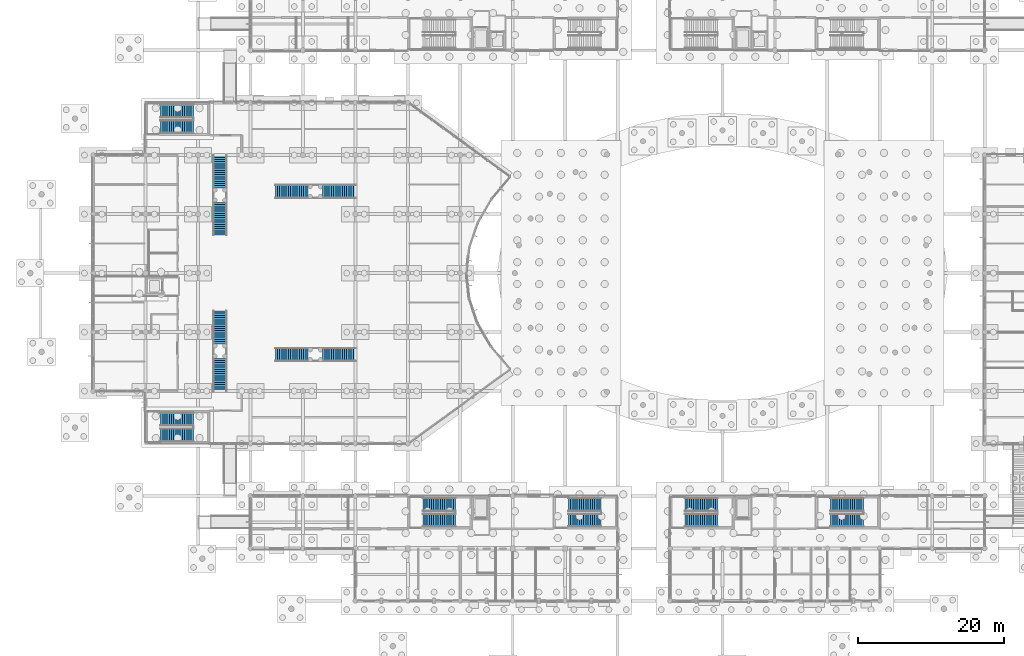
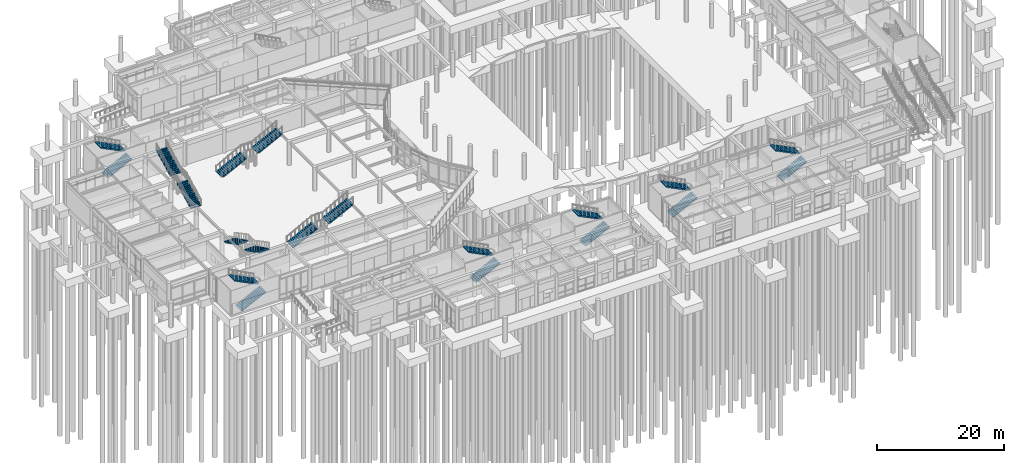
# One storey, part 63 of 103: 20 stair flights, 10 elements without a shape of their own.
"""IFC4 building model written with IfcOpenShell, lengths in metres."""

from ifc_helpers import new_model, si_unit, direction, frame, origin, place, context, subcontext, project, spatial, polyline, outline, extrude, material, type_object, element, aggregate, save


model = new_model("IFC4")

# Units and contexts
model_context = context("Model", 3, precision=1e-05, world=origin(), true_north=direction((0.0, 1.0)))
body_context = subcontext(model_context, "Body", "Model", "MODEL_VIEW")
ifc_project = project(units=[si_unit("LENGTHUNIT", "METRE"), si_unit("AREAUNIT", "SQUARE_METRE"), si_unit("VOLUMEUNIT", "CUBIC_METRE"), si_unit("PLANEANGLEUNIT", "RADIAN"), si_unit("MASSUNIT", "GRAM", prefix="KILO")], contexts=[model_context])

# Site, building, storey
site_placement = place(None, origin())
site = spatial("IfcSite", under=ifc_project, at=site_placement, CompositionType="ELEMENT")
building_placement = place(site_placement, origin())
building = spatial("IfcBuilding", under=site, at=building_placement, Name="Namkhue Oval Health Centre", CompositionType="ELEMENT")
storey_placement = place(building_placement, origin())
storey = spatial("IfcBuildingStorey", under=building, at=storey_placement, Name="L00", CompositionType="ELEMENT", Elevation=0.0)

# Stair, stair flights
ifc_material = material(Name="Reinforced concrete C30/37 (TCVN B35)", Category="concrete")
stair_type_1 = type_object("IfcStairType", Name="DOGLEG EXIT STAIR H4800", PredefinedType="HALF_TURN_STAIR", material=ifc_material)
stair_1_placement = place(storey_placement, origin())
stair_1 = element("IfcStair", 1, at=stair_1_placement, inside=storey, type_object=stair_type_1, Name="Protected Exit Stair ST-01 L00", PredefinedType="HALF_TURN_STAIR")
stair_flight_type_1 = type_object("IfcStairFlightType", Name="STRAIGHT STAIR FLIGHT 1850", PredefinedType="STRAIGHT", material=ifc_material)
stair_flight_1_placement = place(storey_placement, frame((23.64990234375, 37.175048828125, 0.0), z_axis=(0.0, 0.0, 1.0), x_axis=(1.0, 0.0, 0.0)))
stair_flight_1 = element("IfcStairFlight", 2, at=stair_flight_1_placement, type_object=stair_flight_type_1, Name="ST-01 flight 1", NumberOfRisers=16, NumberOfTreads=15, PredefinedType="STRAIGHT", RiserHeight=0.15, TreadLength=0.3, context=body_context, shape_type="SweptSolid", body=[
    extrude(outline(polyline([(0.0, 0.0), (0.0, 0.14990234375), (0.300048828125, 0.14990234375), (0.300048828125, 0.300048828125), (0.60009765625, 0.300048828125), (0.60009765625, 0.449951171875), (0.89990234375, 0.449951171875), (0.89990234375, 0.60009765625), (1.199951171875, 0.60009765625), (1.199951171875, 0.75), (1.5, 0.75), (1.5, 0.89990234375), (1.800048828125, 0.89990234375), (1.800048828125, 1.050048828125), (2.10009765625, 1.050048828125), (2.10009765625, 1.199951171875), (2.39990234375, 1.199951171875), (2.39990234375, 1.35009765625), (2.699951171875, 1.35009765625), (2.699951171875, 1.5), (3.0, 1.5), (3.0, 1.64990234375), (3.300048828125, 1.64990234375), (3.300048828125, 1.800048828125), (3.60009765625, 1.800048828125), (3.60009765625, 1.949951171875), (3.89990234375, 1.949951171875), (3.89990234375, 2.10009765625), (4.199951171875, 2.10009765625), (4.199951171875, 2.25), (4.5, 2.25), (4.5, 2.39990234375), (4.5, 2.048828125), (0.40234375, 0.0), (0.0, 0.0)])), frame((0.0, 0.925048828125, 0.0), z_axis=(0.0, -1.0, 0.0), x_axis=(1.0, 0.0, 0.0)), (0.0, 0.0, 1.0), 1.85009765625),
])
stair_flight_2_placement = place(storey_placement, frame((28.14990234375, 39.324951171875, 2.39990234375), z_axis=(0.0, 0.0, 1.0), x_axis=(-1.0, 0.0, 0.0)))
stair_flight_2 = element("IfcStairFlight", 3, at=stair_flight_2_placement, type_object=stair_flight_type_1, Name="ST-01 flight 2", NumberOfRisers=16, NumberOfTreads=15, PredefinedType="STRAIGHT", RiserHeight=0.15, TreadLength=0.3, context=body_context, shape_type="SweptSolid", body=[
    extrude(outline(polyline([(0.0, 0.0), (0.0, 0.14990234375), (0.300048828125, 0.14990234375), (0.300048828125, 0.300048828125), (0.60009765625, 0.300048828125), (0.60009765625, 0.449951171875), (0.89990234375, 0.449951171875), (0.89990234375, 0.60009765625), (1.199951171875, 0.60009765625), (1.199951171875, 0.75), (1.5, 0.75), (1.5, 0.89990234375), (1.800048828125, 0.89990234375), (1.800048828125, 1.050048828125), (2.10009765625, 1.050048828125), (2.10009765625, 1.199951171875), (2.39990234375, 1.199951171875), (2.39990234375, 1.35009765625), (2.699951171875, 1.35009765625), (2.699951171875, 1.5), (3.0, 1.5), (3.0, 1.64990234375), (3.300048828125, 1.64990234375), (3.300048828125, 1.800048828125), (3.60009765625, 1.800048828125), (3.60009765625, 1.949951171875), (3.89990234375, 1.949951171875), (3.89990234375, 2.10009765625), (4.199951171875, 2.10009765625), (4.199951171875, 2.25), (4.5, 2.25), (4.5, 2.39990234375), (4.5, 2.048828125), (0.40234375, 0.0), (0.0, 0.0)])), frame((0.0, 0.925048828125, 0.0), z_axis=(0.0, -1.0, 0.0), x_axis=(1.0, 0.0, 0.0)), (0.0, 0.0, 1.0), 1.85009765625),
])
aggregate(stair_1, [stair_flight_1, stair_flight_2])

stair_2_placement = place(storey_placement, origin())
stair_2 = element("IfcStair", 4, at=stair_2_placement, inside=storey, type_object=stair_type_1, Name="Protected Exit Stair ST-02 L00", PredefinedType="HALF_TURN_STAIR")
stair_flight_3_placement = place(storey_placement, frame((23.64990234375, 79.47509765625, 0.0), z_axis=(0.0, 0.0, 1.0), x_axis=(1.0, 0.0, 0.0)))
stair_flight_3 = element("IfcStairFlight", 5, at=stair_flight_3_placement, type_object=stair_flight_type_1, Name="ST-02 flight 1", NumberOfRisers=16, NumberOfTreads=15, PredefinedType="STRAIGHT", RiserHeight=0.15, TreadLength=0.3, context=body_context, shape_type="SweptSolid", body=[
    extrude(outline(polyline([(0.0, 0.0), (0.0, 0.14990234375), (0.300048828125, 0.14990234375), (0.300048828125, 0.300048828125), (0.60009765625, 0.300048828125), (0.60009765625, 0.449951171875), (0.89990234375, 0.449951171875), (0.89990234375, 0.60009765625), (1.199951171875, 0.60009765625), (1.199951171875, 0.75), (1.5, 0.75), (1.5, 0.89990234375), (1.800048828125, 0.89990234375), (1.800048828125, 1.050048828125), (2.10009765625, 1.050048828125), (2.10009765625, 1.199951171875), (2.39990234375, 1.199951171875), (2.39990234375, 1.35009765625), (2.699951171875, 1.35009765625), (2.699951171875, 1.5), (3.0, 1.5), (3.0, 1.64990234375), (3.300048828125, 1.64990234375), (3.300048828125, 1.800048828125), (3.60009765625, 1.800048828125), (3.60009765625, 1.949951171875), (3.89990234375, 1.949951171875), (3.89990234375, 2.10009765625), (4.199951171875, 2.10009765625), (4.199951171875, 2.25), (4.5, 2.25), (4.5, 2.39990234375), (4.5, 2.048828125), (0.40234375, 0.0), (0.0, 0.0)])), frame((0.0, 0.925048828125, 0.0), z_axis=(0.0, -1.0, 0.0), x_axis=(1.0, 0.0, 0.0)), (0.0, 0.0, 1.0), 1.85009765625),
])
stair_flight_4_placement = place(storey_placement, frame((28.14990234375, 81.625, 2.39990234375), z_axis=(0.0, 0.0, 1.0), x_axis=(-1.0, 0.0, 0.0)))
stair_flight_4 = element("IfcStairFlight", 6, at=stair_flight_4_placement, type_object=stair_flight_type_1, Name="ST-02 flight 2", NumberOfRisers=16, NumberOfTreads=15, PredefinedType="STRAIGHT", RiserHeight=0.15, TreadLength=0.3, context=body_context, shape_type="SweptSolid", body=[
    extrude(outline(polyline([(0.0, 0.0), (0.0, 0.14990234375), (0.300048828125, 0.14990234375), (0.300048828125, 0.300048828125), (0.60009765625, 0.300048828125), (0.60009765625, 0.449951171875), (0.89990234375, 0.449951171875), (0.89990234375, 0.60009765625), (1.199951171875, 0.60009765625), (1.199951171875, 0.75), (1.5, 0.75), (1.5, 0.89990234375), (1.800048828125, 0.89990234375), (1.800048828125, 1.050048828125), (2.10009765625, 1.050048828125), (2.10009765625, 1.199951171875), (2.39990234375, 1.199951171875), (2.39990234375, 1.35009765625), (2.699951171875, 1.35009765625), (2.699951171875, 1.5), (3.0, 1.5), (3.0, 1.64990234375), (3.300048828125, 1.64990234375), (3.300048828125, 1.800048828125), (3.60009765625, 1.800048828125), (3.60009765625, 1.949951171875), (3.89990234375, 1.949951171875), (3.89990234375, 2.10009765625), (4.199951171875, 2.10009765625), (4.199951171875, 2.25), (4.5, 2.25), (4.5, 2.39990234375), (4.5, 2.048828125), (0.40234375, 0.0), (0.0, 0.0)])), frame((0.0, 0.925048828125, 0.0), z_axis=(0.0, -1.0, 0.0), x_axis=(1.0, 0.0, 0.0)), (0.0, 0.0, 1.0), 1.85009765625),
])
aggregate(stair_2, [stair_flight_3, stair_flight_4])

stair_3_placement = place(storey_placement, origin())
stair_3 = element("IfcStair", 7, at=stair_3_placement, inside=storey, type_object=stair_type_1, Name="Protected Exit Stair ST-07 L00", PredefinedType="HALF_TURN_STAIR")
stair_flight_5_placement = place(storey_placement, frame((59.64990234375, 25.47509765625, 0.0), z_axis=(0.0, 0.0, 1.0), x_axis=(1.0, 0.0, 0.0)))
stair_flight_5 = element("IfcStairFlight", 8, at=stair_flight_5_placement, type_object=stair_flight_type_1, Name="ST-07 flight 1", NumberOfRisers=16, NumberOfTreads=15, PredefinedType="STRAIGHT", RiserHeight=0.15, TreadLength=0.3, context=body_context, shape_type="SweptSolid", body=[
    extrude(outline(polyline([(0.0, 0.0), (0.0, 0.14990234375), (0.300048828125, 0.14990234375), (0.300048828125, 0.300048828125), (0.60009765625, 0.300048828125), (0.60009765625, 0.449951171875), (0.89990234375, 0.449951171875), (0.89990234375, 0.60009765625), (1.199951171875, 0.60009765625), (1.199951171875, 0.75), (1.5, 0.75), (1.5, 0.89990234375), (1.800048828125, 0.89990234375), (1.800048828125, 1.050048828125), (2.10009765625, 1.050048828125), (2.10009765625, 1.199951171875), (2.39990234375, 1.199951171875), (2.39990234375, 1.35009765625), (2.699951171875, 1.35009765625), (2.699951171875, 1.5), (3.0, 1.5), (3.0, 1.64990234375), (3.300048828125, 1.64990234375), (3.300048828125, 1.800048828125), (3.60009765625, 1.800048828125), (3.60009765625, 1.949951171875), (3.89990234375, 1.949951171875), (3.89990234375, 2.10009765625), (4.199951171875, 2.10009765625), (4.199951171875, 2.25), (4.5, 2.25), (4.5, 2.39990234375), (4.5, 2.048828125), (0.40234375, 0.0), (0.0, 0.0)])), frame((0.0, 0.925048828125, 0.0), z_axis=(0.0, -1.0, 0.0), x_axis=(1.0, 0.0, 0.0)), (0.0, 0.0, 1.0), 1.85009765625),
])
stair_flight_6_placement = place(storey_placement, frame((64.14990234375, 27.625, 2.39990234375), z_axis=(0.0, 0.0, 1.0), x_axis=(-1.0, 0.0, 0.0)))
stair_flight_6 = element("IfcStairFlight", 9, at=stair_flight_6_placement, type_object=stair_flight_type_1, Name="ST-07 flight 2", NumberOfRisers=16, NumberOfTreads=15, PredefinedType="STRAIGHT", RiserHeight=0.15, TreadLength=0.3, context=body_context, shape_type="SweptSolid", body=[
    extrude(outline(polyline([(0.0, 0.0), (0.0, 0.14990234375), (0.300048828125, 0.14990234375), (0.300048828125, 0.300048828125), (0.60009765625, 0.300048828125), (0.60009765625, 0.449951171875), (0.89990234375, 0.449951171875), (0.89990234375, 0.60009765625), (1.199951171875, 0.60009765625), (1.199951171875, 0.75), (1.5, 0.75), (1.5, 0.89990234375), (1.800048828125, 0.89990234375), (1.800048828125, 1.050048828125), (2.10009765625, 1.050048828125), (2.10009765625, 1.199951171875), (2.39990234375, 1.199951171875), (2.39990234375, 1.35009765625), (2.699951171875, 1.35009765625), (2.699951171875, 1.5), (3.0, 1.5), (3.0, 1.64990234375), (3.300048828125, 1.64990234375), (3.300048828125, 1.800048828125), (3.60009765625, 1.800048828125), (3.60009765625, 1.949951171875), (3.89990234375, 1.949951171875), (3.89990234375, 2.10009765625), (4.199951171875, 2.10009765625), (4.199951171875, 2.25), (4.5, 2.25), (4.5, 2.39990234375), (4.5, 2.048828125), (0.40234375, 0.0), (0.0, 0.0)])), frame((0.0, 0.925048828125, 0.0), z_axis=(0.0, -1.0, 0.0), x_axis=(1.0, 0.0, 0.0)), (0.0, 0.0, 1.0), 1.85009765625),
])
aggregate(stair_3, [stair_flight_5, stair_flight_6])

stair_4_placement = place(storey_placement, origin())
stair_4 = element("IfcStair", 10, at=stair_4_placement, inside=storey, type_object=stair_type_1, Name="Protected Exit Stair ST-08 L00", PredefinedType="HALF_TURN_STAIR")
stair_flight_7_placement = place(storey_placement, frame((79.64990234375, 25.47509765625, 0.0), z_axis=(0.0, 0.0, 1.0), x_axis=(1.0, 0.0, 0.0)))
stair_flight_7 = element("IfcStairFlight", 11, at=stair_flight_7_placement, type_object=stair_flight_type_1, Name="ST-08 flight 1", NumberOfRisers=16, NumberOfTreads=15, PredefinedType="STRAIGHT", RiserHeight=0.15, TreadLength=0.3, context=body_context, shape_type="SweptSolid", body=[
    extrude(outline(polyline([(0.0, 0.0), (0.0, 0.14990234375), (0.300048828125, 0.14990234375), (0.300048828125, 0.300048828125), (0.60009765625, 0.300048828125), (0.60009765625, 0.449951171875), (0.89990234375, 0.449951171875), (0.89990234375, 0.60009765625), (1.199951171875, 0.60009765625), (1.199951171875, 0.75), (1.5, 0.75), (1.5, 0.89990234375), (1.800048828125, 0.89990234375), (1.800048828125, 1.050048828125), (2.10009765625, 1.050048828125), (2.10009765625, 1.199951171875), (2.39990234375, 1.199951171875), (2.39990234375, 1.35009765625), (2.699951171875, 1.35009765625), (2.699951171875, 1.5), (3.0, 1.5), (3.0, 1.64990234375), (3.300048828125, 1.64990234375), (3.300048828125, 1.800048828125), (3.60009765625, 1.800048828125), (3.60009765625, 1.949951171875), (3.89990234375, 1.949951171875), (3.89990234375, 2.10009765625), (4.199951171875, 2.10009765625), (4.199951171875, 2.25), (4.5, 2.25), (4.5, 2.39990234375), (4.5, 2.048828125), (0.40234375, 0.0), (0.0, 0.0)])), frame((0.0, 0.925048828125, 0.0), z_axis=(0.0, -1.0, 0.0), x_axis=(1.0, 0.0, 0.0)), (0.0, 0.0, 1.0), 1.85009765625),
])
stair_flight_8_placement = place(storey_placement, frame((84.14990234375, 27.625, 2.39990234375), z_axis=(0.0, 0.0, 1.0), x_axis=(-1.0, 0.0, 0.0)))
stair_flight_8 = element("IfcStairFlight", 12, at=stair_flight_8_placement, type_object=stair_flight_type_1, Name="ST-08 flight 2", NumberOfRisers=16, NumberOfTreads=15, PredefinedType="STRAIGHT", RiserHeight=0.15, TreadLength=0.3, context=body_context, shape_type="SweptSolid", body=[
    extrude(outline(polyline([(0.0, 0.0), (0.0, 0.14990234375), (0.300048828125, 0.14990234375), (0.300048828125, 0.300048828125), (0.60009765625, 0.300048828125), (0.60009765625, 0.449951171875), (0.89990234375, 0.449951171875), (0.89990234375, 0.60009765625), (1.199951171875, 0.60009765625), (1.199951171875, 0.75), (1.5, 0.75), (1.5, 0.89990234375), (1.800048828125, 0.89990234375), (1.800048828125, 1.050048828125), (2.10009765625, 1.050048828125), (2.10009765625, 1.199951171875), (2.39990234375, 1.199951171875), (2.39990234375, 1.35009765625), (2.699951171875, 1.35009765625), (2.699951171875, 1.5), (3.0, 1.5), (3.0, 1.64990234375), (3.300048828125, 1.64990234375), (3.300048828125, 1.800048828125), (3.60009765625, 1.800048828125), (3.60009765625, 1.949951171875), (3.89990234375, 1.949951171875), (3.89990234375, 2.10009765625), (4.199951171875, 2.10009765625), (4.199951171875, 2.25), (4.5, 2.25), (4.5, 2.39990234375), (4.5, 2.048828125), (0.40234375, 0.0), (0.0, 0.0)])), frame((0.0, 0.925048828125, 0.0), z_axis=(0.0, -1.0, 0.0), x_axis=(1.0, 0.0, 0.0)), (0.0, 0.0, 1.0), 1.85009765625),
])
aggregate(stair_4, [stair_flight_7, stair_flight_8])

stair_5_placement = place(storey_placement, origin())
stair_5 = element("IfcStair", 13, at=stair_5_placement, inside=storey, type_object=stair_type_1, Name="Protected Exit Stair ST-09 L00", PredefinedType="HALF_TURN_STAIR")
stair_flight_9_placement = place(storey_placement, frame((95.64990234375, 25.47509765625, 0.0), z_axis=(0.0, 0.0, 1.0), x_axis=(1.0, 0.0, 0.0)))
stair_flight_9 = element("IfcStairFlight", 14, at=stair_flight_9_placement, type_object=stair_flight_type_1, Name="ST-09 flight 1", NumberOfRisers=16, NumberOfTreads=15, PredefinedType="STRAIGHT", RiserHeight=0.15, TreadLength=0.3, context=body_context, shape_type="SweptSolid", body=[
    extrude(outline(polyline([(0.0, 0.0), (0.0, 0.14990234375), (0.300048828125, 0.14990234375), (0.300048828125, 0.300048828125), (0.60009765625, 0.300048828125), (0.60009765625, 0.449951171875), (0.89990234375, 0.449951171875), (0.89990234375, 0.60009765625), (1.199951171875, 0.60009765625), (1.199951171875, 0.75), (1.5, 0.75), (1.5, 0.89990234375), (1.800048828125, 0.89990234375), (1.800048828125, 1.050048828125), (2.10009765625, 1.050048828125), (2.10009765625, 1.199951171875), (2.39990234375, 1.199951171875), (2.39990234375, 1.35009765625), (2.699951171875, 1.35009765625), (2.699951171875, 1.5), (3.0, 1.5), (3.0, 1.64990234375), (3.300048828125, 1.64990234375), (3.300048828125, 1.800048828125), (3.60009765625, 1.800048828125), (3.60009765625, 1.949951171875), (3.89990234375, 1.949951171875), (3.89990234375, 2.10009765625), (4.199951171875, 2.10009765625), (4.199951171875, 2.25), (4.5, 2.25), (4.5, 2.39990234375), (4.5, 2.048828125), (0.40234375, 0.0), (0.0, 0.0)])), frame((0.0, 0.925048828125, 0.0), z_axis=(0.0, -1.0, 0.0), x_axis=(1.0, 0.0, 0.0)), (0.0, 0.0, 1.0), 1.85009765625),
])
stair_flight_10_placement = place(storey_placement, frame((100.14990234375, 27.625, 2.39990234375), z_axis=(0.0, 0.0, 1.0), x_axis=(-1.0, 0.0, 0.0)))
stair_flight_10 = element("IfcStairFlight", 15, at=stair_flight_10_placement, type_object=stair_flight_type_1, Name="ST-09 flight 2", NumberOfRisers=16, NumberOfTreads=15, PredefinedType="STRAIGHT", RiserHeight=0.15, TreadLength=0.3, context=body_context, shape_type="SweptSolid", body=[
    extrude(outline(polyline([(0.0, 0.0), (0.0, 0.14990234375), (0.300048828125, 0.14990234375), (0.300048828125, 0.300048828125), (0.60009765625, 0.300048828125), (0.60009765625, 0.449951171875), (0.89990234375, 0.449951171875), (0.89990234375, 0.60009765625), (1.199951171875, 0.60009765625), (1.199951171875, 0.75), (1.5, 0.75), (1.5, 0.89990234375), (1.800048828125, 0.89990234375), (1.800048828125, 1.050048828125), (2.10009765625, 1.050048828125), (2.10009765625, 1.199951171875), (2.39990234375, 1.199951171875), (2.39990234375, 1.35009765625), (2.699951171875, 1.35009765625), (2.699951171875, 1.5), (3.0, 1.5), (3.0, 1.64990234375), (3.300048828125, 1.64990234375), (3.300048828125, 1.800048828125), (3.60009765625, 1.800048828125), (3.60009765625, 1.949951171875), (3.89990234375, 1.949951171875), (3.89990234375, 2.10009765625), (4.199951171875, 2.10009765625), (4.199951171875, 2.25), (4.5, 2.25), (4.5, 2.39990234375), (4.5, 2.048828125), (0.40234375, 0.0), (0.0, 0.0)])), frame((0.0, 0.925048828125, 0.0), z_axis=(0.0, -1.0, 0.0), x_axis=(1.0, 0.0, 0.0)), (0.0, 0.0, 1.0), 1.85009765625),
])
aggregate(stair_5, [stair_flight_9, stair_flight_10])

stair_6_placement = place(storey_placement, origin())
stair_6 = element("IfcStair", 16, at=stair_6_placement, inside=storey, type_object=stair_type_1, Name="Protected Exit Stair ST-10 L00", PredefinedType="HALF_TURN_STAIR")
stair_flight_11_placement = place(storey_placement, frame((115.64990234375, 25.47509765625, 0.0), z_axis=(0.0, 0.0, 1.0), x_axis=(1.0, 0.0, 0.0)))
stair_flight_11 = element("IfcStairFlight", 17, at=stair_flight_11_placement, type_object=stair_flight_type_1, Name="ST-10 flight 1", NumberOfRisers=16, NumberOfTreads=15, PredefinedType="STRAIGHT", RiserHeight=0.15, TreadLength=0.3, context=body_context, shape_type="SweptSolid", body=[
    extrude(outline(polyline([(0.0, 0.0), (0.0, 0.14990234375), (0.300048828125, 0.14990234375), (0.300048828125, 0.300048828125), (0.60009765625, 0.300048828125), (0.60009765625, 0.449951171875), (0.89990234375, 0.449951171875), (0.89990234375, 0.60009765625), (1.199951171875, 0.60009765625), (1.199951171875, 0.75), (1.5, 0.75), (1.5, 0.89990234375), (1.800048828125, 0.89990234375), (1.800048828125, 1.050048828125), (2.10009765625, 1.050048828125), (2.10009765625, 1.199951171875), (2.39990234375, 1.199951171875), (2.39990234375, 1.35009765625), (2.699951171875, 1.35009765625), (2.699951171875, 1.5), (3.0, 1.5), (3.0, 1.64990234375), (3.300048828125, 1.64990234375), (3.300048828125, 1.800048828125), (3.60009765625, 1.800048828125), (3.60009765625, 1.949951171875), (3.89990234375, 1.949951171875), (3.89990234375, 2.10009765625), (4.199951171875, 2.10009765625), (4.199951171875, 2.25), (4.5, 2.25), (4.5, 2.39990234375), (4.5, 2.048828125), (0.40234375, 0.0), (0.0, 0.0)])), frame((0.0, 0.925048828125, 0.0), z_axis=(0.0, -1.0, 0.0), x_axis=(1.0, 0.0, 0.0)), (0.0, 0.0, 1.0), 1.85009765625),
])
stair_flight_12_placement = place(storey_placement, frame((120.14990234375, 27.625, 2.39990234375), z_axis=(0.0, 0.0, 1.0), x_axis=(-1.0, 0.0, 0.0)))
stair_flight_12 = element("IfcStairFlight", 18, at=stair_flight_12_placement, type_object=stair_flight_type_1, Name="ST-10 flight 2", NumberOfRisers=16, NumberOfTreads=15, PredefinedType="STRAIGHT", RiserHeight=0.15, TreadLength=0.3, context=body_context, shape_type="SweptSolid", body=[
    extrude(outline(polyline([(0.0, 0.0), (0.0, 0.14990234375), (0.300048828125, 0.14990234375), (0.300048828125, 0.300048828125), (0.60009765625, 0.300048828125), (0.60009765625, 0.449951171875), (0.89990234375, 0.449951171875), (0.89990234375, 0.60009765625), (1.199951171875, 0.60009765625), (1.199951171875, 0.75), (1.5, 0.75), (1.5, 0.89990234375), (1.800048828125, 0.89990234375), (1.800048828125, 1.050048828125), (2.10009765625, 1.050048828125), (2.10009765625, 1.199951171875), (2.39990234375, 1.199951171875), (2.39990234375, 1.35009765625), (2.699951171875, 1.35009765625), (2.699951171875, 1.5), (3.0, 1.5), (3.0, 1.64990234375), (3.300048828125, 1.64990234375), (3.300048828125, 1.800048828125), (3.60009765625, 1.800048828125), (3.60009765625, 1.949951171875), (3.89990234375, 1.949951171875), (3.89990234375, 2.10009765625), (4.199951171875, 2.10009765625), (4.199951171875, 2.25), (4.5, 2.25), (4.5, 2.39990234375), (4.5, 2.048828125), (0.40234375, 0.0), (0.0, 0.0)])), frame((0.0, 0.925048828125, 0.0), z_axis=(0.0, -1.0, 0.0), x_axis=(1.0, 0.0, 0.0)), (0.0, 0.0, 1.0), 1.85009765625),
])
aggregate(stair_6, [stair_flight_11, stair_flight_12])

stair_type_2 = type_object("IfcStairType", Name="STRAIGHT FEATURE STAIR H4800", PredefinedType="STRAIGHT_RUN_STAIR", material=ifc_material)
stair_7_placement = place(storey_placement, origin())
stair_7 = element("IfcStair", 19, at=stair_7_placement, inside=storey, type_object=stair_type_2, Name="Waiting Hall South Straight Feature Stair", PredefinedType="STRAIGHT_RUN_STAIR")
stair_flight_type_2 = type_object("IfcStairFlightType", Name="STRAIGHT STAIR FLIGHT 1900", PredefinedType="STRAIGHT", material=ifc_material)
stair_flight_13_placement = place(storey_placement, frame((39.405029296875, 48.199951171875, 0.0), z_axis=(0.0, 0.0, 1.0), x_axis=(1.0, 0.0, 0.0)))
stair_flight_13 = element("IfcStairFlight", 20, at=stair_flight_13_placement, type_object=stair_flight_type_2, Name="ST-F01 flight 1", NumberOfRisers=16, NumberOfTreads=15, PredefinedType="STRAIGHT", RiserHeight=0.15, TreadLength=0.3, context=body_context, shape_type="SweptSolid", body=[
    extrude(outline(polyline([(0.0, 0.0), (0.0, 0.14990234375), (0.300048828125, 0.14990234375), (0.300048828125, 0.300048828125), (0.60009765625, 0.300048828125), (0.60009765625, 0.449951171875), (0.89990234375, 0.449951171875), (0.89990234375, 0.60009765625), (1.199951171875, 0.60009765625), (1.199951171875, 0.75), (1.5, 0.75), (1.5, 0.89990234375), (1.800048828125, 0.89990234375), (1.800048828125, 1.050048828125), (2.10009765625, 1.050048828125), (2.10009765625, 1.199951171875), (2.39990234375, 1.199951171875), (2.39990234375, 1.35009765625), (2.699951171875, 1.35009765625), (2.699951171875, 1.5), (3.0, 1.5), (3.0, 1.64990234375), (3.300048828125, 1.64990234375), (3.300048828125, 1.800048828125), (3.60009765625, 1.800048828125), (3.60009765625, 1.949951171875), (3.89990234375, 1.949951171875), (3.89990234375, 2.10009765625), (4.199951171875, 2.10009765625), (4.199951171875, 2.25), (4.5, 2.25), (4.5, 2.39990234375), (4.5, 2.048828125), (0.40234375, 0.0), (0.0, 0.0)])), frame((0.0, 0.949951171875, 0.0), z_axis=(0.0, -1.0, 0.0), x_axis=(1.0, 0.0, 0.0)), (0.0, 0.0, 1.0), 1.89990234375),
])
stair_flight_14_placement = place(storey_placement, frame((45.905029296875, 48.199951171875, 2.39990234375), z_axis=(0.0, 0.0, 1.0), x_axis=(1.0, 0.0, 0.0)))
stair_flight_14 = element("IfcStairFlight", 21, at=stair_flight_14_placement, type_object=stair_flight_type_2, Name="ST-F01 flight 2", NumberOfRisers=16, NumberOfTreads=15, PredefinedType="STRAIGHT", RiserHeight=0.15, TreadLength=0.3, context=body_context, shape_type="SweptSolid", body=[
    extrude(outline(polyline([(0.0, 0.0), (0.0, 0.14990234375), (0.300048828125, 0.14990234375), (0.300048828125, 0.300048828125), (0.60009765625, 0.300048828125), (0.60009765625, 0.449951171875), (0.89990234375, 0.449951171875), (0.89990234375, 0.60009765625), (1.199951171875, 0.60009765625), (1.199951171875, 0.75), (1.5, 0.75), (1.5, 0.89990234375), (1.800048828125, 0.89990234375), (1.800048828125, 1.050048828125), (2.10009765625, 1.050048828125), (2.10009765625, 1.199951171875), (2.39990234375, 1.199951171875), (2.39990234375, 1.35009765625), (2.699951171875, 1.35009765625), (2.699951171875, 1.5), (3.0, 1.5), (3.0, 1.64990234375), (3.300048828125, 1.64990234375), (3.300048828125, 1.800048828125), (3.60009765625, 1.800048828125), (3.60009765625, 1.949951171875), (3.89990234375, 1.949951171875), (3.89990234375, 2.10009765625), (4.199951171875, 2.10009765625), (4.199951171875, 2.25), (4.5, 2.25), (4.5, 2.39990234375), (4.5, 2.048828125), (0.40234375, 0.0), (0.0, 0.0)])), frame((0.0, 0.949951171875, 0.0), z_axis=(0.0, -1.0, 0.0), x_axis=(1.0, 0.0, 0.0)), (0.0, 0.0, 1.0), 1.89990234375),
])
aggregate(stair_7, [stair_flight_13, stair_flight_14])

stair_8_placement = place(storey_placement, origin())
stair_8 = element("IfcStair", 22, at=stair_8_placement, inside=storey, type_object=stair_type_2, Name="Waiting Hall North Straight Feature Stair", PredefinedType="STRAIGHT_RUN_STAIR")
stair_flight_15_placement = place(storey_placement, frame((39.405029296875, 70.60009765625, 0.0), z_axis=(0.0, 0.0, 1.0), x_axis=(1.0, 0.0, 0.0)))
stair_flight_15 = element("IfcStairFlight", 23, at=stair_flight_15_placement, type_object=stair_flight_type_2, Name="ST-F02 flight 1", NumberOfRisers=16, NumberOfTreads=15, PredefinedType="STRAIGHT", RiserHeight=0.15, TreadLength=0.3, context=body_context, shape_type="SweptSolid", body=[
    extrude(outline(polyline([(0.0, 0.0), (0.0, 0.14990234375), (0.300048828125, 0.14990234375), (0.300048828125, 0.300048828125), (0.60009765625, 0.300048828125), (0.60009765625, 0.449951171875), (0.89990234375, 0.449951171875), (0.89990234375, 0.60009765625), (1.199951171875, 0.60009765625), (1.199951171875, 0.75), (1.5, 0.75), (1.5, 0.89990234375), (1.800048828125, 0.89990234375), (1.800048828125, 1.050048828125), (2.10009765625, 1.050048828125), (2.10009765625, 1.199951171875), (2.39990234375, 1.199951171875), (2.39990234375, 1.35009765625), (2.699951171875, 1.35009765625), (2.699951171875, 1.5), (3.0, 1.5), (3.0, 1.64990234375), (3.300048828125, 1.64990234375), (3.300048828125, 1.800048828125), (3.60009765625, 1.800048828125), (3.60009765625, 1.949951171875), (3.89990234375, 1.949951171875), (3.89990234375, 2.10009765625), (4.199951171875, 2.10009765625), (4.199951171875, 2.25), (4.5, 2.25), (4.5, 2.39990234375), (4.5, 2.048828125), (0.40234375, 0.0), (0.0, 0.0)])), frame((0.0, 0.949951171875, 0.0), z_axis=(0.0, -1.0, 0.0), x_axis=(1.0, 0.0, 0.0)), (0.0, 0.0, 1.0), 1.89990234375),
])
stair_flight_16_placement = place(storey_placement, frame((45.905029296875, 70.60009765625, 2.39990234375), z_axis=(0.0, 0.0, 1.0), x_axis=(1.0, 0.0, 0.0)))
stair_flight_16 = element("IfcStairFlight", 24, at=stair_flight_16_placement, type_object=stair_flight_type_2, Name="ST-F02 flight 2", NumberOfRisers=16, NumberOfTreads=15, PredefinedType="STRAIGHT", RiserHeight=0.15, TreadLength=0.3, context=body_context, shape_type="SweptSolid", body=[
    extrude(outline(polyline([(0.0, 0.0), (0.0, 0.14990234375), (0.300048828125, 0.14990234375), (0.300048828125, 0.300048828125), (0.60009765625, 0.300048828125), (0.60009765625, 0.449951171875), (0.89990234375, 0.449951171875), (0.89990234375, 0.60009765625), (1.199951171875, 0.60009765625), (1.199951171875, 0.75), (1.5, 0.75), (1.5, 0.89990234375), (1.800048828125, 0.89990234375), (1.800048828125, 1.050048828125), (2.10009765625, 1.050048828125), (2.10009765625, 1.199951171875), (2.39990234375, 1.199951171875), (2.39990234375, 1.35009765625), (2.699951171875, 1.35009765625), (2.699951171875, 1.5), (3.0, 1.5), (3.0, 1.64990234375), (3.300048828125, 1.64990234375), (3.300048828125, 1.800048828125), (3.60009765625, 1.800048828125), (3.60009765625, 1.949951171875), (3.89990234375, 1.949951171875), (3.89990234375, 2.10009765625), (4.199951171875, 2.10009765625), (4.199951171875, 2.25), (4.5, 2.25), (4.5, 2.39990234375), (4.5, 2.048828125), (0.40234375, 0.0), (0.0, 0.0)])), frame((0.0, 0.949951171875, 0.0), z_axis=(0.0, -1.0, 0.0), x_axis=(1.0, 0.0, 0.0)), (0.0, 0.0, 1.0), 1.89990234375),
])
aggregate(stair_8, [stair_flight_15, stair_flight_16])

stair_9_placement = place(storey_placement, origin())
stair_9 = element("IfcStair", 25, at=stair_9_placement, inside=storey, type_object=stair_type_2, Name="Waiting Hall North Gallery Feature Stair", PredefinedType="STRAIGHT_RUN_STAIR")
stair_flight_17_placement = place(storey_placement, frame((31.800048828125, 64.60498046875, 0.0), z_axis=(0.0, 0.0, 1.0), x_axis=(0.0, 1.0, 0.0)))
stair_flight_17 = element("IfcStairFlight", 26, at=stair_flight_17_placement, type_object=stair_flight_type_2, Name="ST-F03 flight 1", NumberOfRisers=16, NumberOfTreads=15, PredefinedType="STRAIGHT", RiserHeight=0.15, TreadLength=0.3, context=body_context, shape_type="SweptSolid", body=[
    extrude(outline(polyline([(0.0, 0.0), (0.0, 0.14990234375), (0.300048828125, 0.14990234375), (0.300048828125, 0.300048828125), (0.60009765625, 0.300048828125), (0.60009765625, 0.449951171875), (0.89990234375, 0.449951171875), (0.89990234375, 0.60009765625), (1.199951171875, 0.60009765625), (1.199951171875, 0.75), (1.5, 0.75), (1.5, 0.89990234375), (1.800048828125, 0.89990234375), (1.800048828125, 1.050048828125), (2.10009765625, 1.050048828125), (2.10009765625, 1.199951171875), (2.39990234375, 1.199951171875), (2.39990234375, 1.35009765625), (2.699951171875, 1.35009765625), (2.699951171875, 1.5), (3.0, 1.5), (3.0, 1.64990234375), (3.300048828125, 1.64990234375), (3.300048828125, 1.800048828125), (3.60009765625, 1.800048828125), (3.60009765625, 1.949951171875), (3.89990234375, 1.949951171875), (3.89990234375, 2.10009765625), (4.199951171875, 2.10009765625), (4.199951171875, 2.25), (4.5, 2.25), (4.5, 2.39990234375), (4.5, 2.048828125), (0.40234375, 0.0), (0.0, 0.0)])), frame((0.0, 0.949951171875, 0.0), z_axis=(0.0, -1.0, 0.0), x_axis=(1.0, 0.0, 0.0)), (0.0, 0.0, 1.0), 1.89990234375),
])
stair_flight_18_placement = place(storey_placement, frame((31.800048828125, 71.10498046875, 2.39990234375), z_axis=(0.0, 0.0, 1.0), x_axis=(0.0, 1.0, 0.0)))
stair_flight_18 = element("IfcStairFlight", 27, at=stair_flight_18_placement, type_object=stair_flight_type_2, Name="ST-F03 flight 2", NumberOfRisers=16, NumberOfTreads=15, PredefinedType="STRAIGHT", RiserHeight=0.15, TreadLength=0.3, context=body_context, shape_type="SweptSolid", body=[
    extrude(outline(polyline([(0.0, 0.0), (0.0, 0.14990234375), (0.300048828125, 0.14990234375), (0.300048828125, 0.300048828125), (0.60009765625, 0.300048828125), (0.60009765625, 0.449951171875), (0.89990234375, 0.449951171875), (0.89990234375, 0.60009765625), (1.199951171875, 0.60009765625), (1.199951171875, 0.75), (1.5, 0.75), (1.5, 0.89990234375), (1.800048828125, 0.89990234375), (1.800048828125, 1.050048828125), (2.10009765625, 1.050048828125), (2.10009765625, 1.199951171875), (2.39990234375, 1.199951171875), (2.39990234375, 1.35009765625), (2.699951171875, 1.35009765625), (2.699951171875, 1.5), (3.0, 1.5), (3.0, 1.64990234375), (3.300048828125, 1.64990234375), (3.300048828125, 1.800048828125), (3.60009765625, 1.800048828125), (3.60009765625, 1.949951171875), (3.89990234375, 1.949951171875), (3.89990234375, 2.10009765625), (4.199951171875, 2.10009765625), (4.199951171875, 2.25), (4.5, 2.25), (4.5, 2.39990234375), (4.5, 2.048828125), (0.40234375, 0.0), (0.0, 0.0)])), frame((0.0, 0.949951171875, 0.0), z_axis=(0.0, -1.0, 0.0), x_axis=(1.0, 0.0, 0.0)), (0.0, 0.0, 1.0), 1.89990234375),
])
aggregate(stair_9, [stair_flight_17, stair_flight_18])

stair_10_placement = place(storey_placement, origin())
stair_10 = element("IfcStair", 28, at=stair_10_placement, inside=storey, type_object=stair_type_2, Name="Waiting Hall South Gallery Feature Stair", PredefinedType="STRAIGHT_RUN_STAIR")
stair_flight_19_placement = place(storey_placement, frame((31.800048828125, 54.195068359375, 0.0), z_axis=(0.0, 0.0, 1.0), x_axis=(0.0, -1.0, 0.0)))
stair_flight_19 = element("IfcStairFlight", 29, at=stair_flight_19_placement, type_object=stair_flight_type_2, Name="ST-F04 flight 1", NumberOfRisers=16, NumberOfTreads=15, PredefinedType="STRAIGHT", RiserHeight=0.15, TreadLength=0.3, context=body_context, shape_type="SweptSolid", body=[
    extrude(outline(polyline([(0.0, 0.0), (0.0, 0.14990234375), (0.300048828125, 0.14990234375), (0.300048828125, 0.300048828125), (0.60009765625, 0.300048828125), (0.60009765625, 0.449951171875), (0.89990234375, 0.449951171875), (0.89990234375, 0.60009765625), (1.199951171875, 0.60009765625), (1.199951171875, 0.75), (1.5, 0.75), (1.5, 0.89990234375), (1.800048828125, 0.89990234375), (1.800048828125, 1.050048828125), (2.10009765625, 1.050048828125), (2.10009765625, 1.199951171875), (2.39990234375, 1.199951171875), (2.39990234375, 1.35009765625), (2.699951171875, 1.35009765625), (2.699951171875, 1.5), (3.0, 1.5), (3.0, 1.64990234375), (3.300048828125, 1.64990234375), (3.300048828125, 1.800048828125), (3.60009765625, 1.800048828125), (3.60009765625, 1.949951171875), (3.89990234375, 1.949951171875), (3.89990234375, 2.10009765625), (4.199951171875, 2.10009765625), (4.199951171875, 2.25), (4.5, 2.25), (4.5, 2.39990234375), (4.5, 2.048828125), (0.40234375, 0.0), (0.0, 0.0)])), frame((0.0, 0.949951171875, 0.0), z_axis=(0.0, -1.0, 0.0), x_axis=(1.0, 0.0, 0.0)), (0.0, 0.0, 1.0), 1.89990234375),
])
stair_flight_20_placement = place(storey_placement, frame((31.800048828125, 47.695068359375, 2.39990234375), z_axis=(0.0, 0.0, 1.0), x_axis=(0.0, -1.0, 0.0)))
stair_flight_20 = element("IfcStairFlight", 30, at=stair_flight_20_placement, type_object=stair_flight_type_2, Name="ST-F04 flight 2", NumberOfRisers=16, NumberOfTreads=15, PredefinedType="STRAIGHT", RiserHeight=0.15, TreadLength=0.3, context=body_context, shape_type="SweptSolid", body=[
    extrude(outline(polyline([(0.0, 0.0), (0.0, 0.14990234375), (0.300048828125, 0.14990234375), (0.300048828125, 0.300048828125), (0.60009765625, 0.300048828125), (0.60009765625, 0.449951171875), (0.89990234375, 0.449951171875), (0.89990234375, 0.60009765625), (1.199951171875, 0.60009765625), (1.199951171875, 0.75), (1.5, 0.75), (1.5, 0.89990234375), (1.800048828125, 0.89990234375), (1.800048828125, 1.050048828125), (2.10009765625, 1.050048828125), (2.10009765625, 1.199951171875), (2.39990234375, 1.199951171875), (2.39990234375, 1.35009765625), (2.699951171875, 1.35009765625), (2.699951171875, 1.5), (3.0, 1.5), (3.0, 1.64990234375), (3.300048828125, 1.64990234375), (3.300048828125, 1.800048828125), (3.60009765625, 1.800048828125), (3.60009765625, 1.949951171875), (3.89990234375, 1.949951171875), (3.89990234375, 2.10009765625), (4.199951171875, 2.10009765625), (4.199951171875, 2.25), (4.5, 2.25), (4.5, 2.39990234375), (4.5, 2.048828125), (0.40234375, 0.0), (0.0, 0.0)])), frame((0.0, 0.949951171875, 0.0), z_axis=(0.0, -1.0, 0.0), x_axis=(1.0, 0.0, 0.0)), (0.0, 0.0, 1.0), 1.89990234375),
])
aggregate(stair_10, [stair_flight_19, stair_flight_20])

save(model, "model.ifc")
